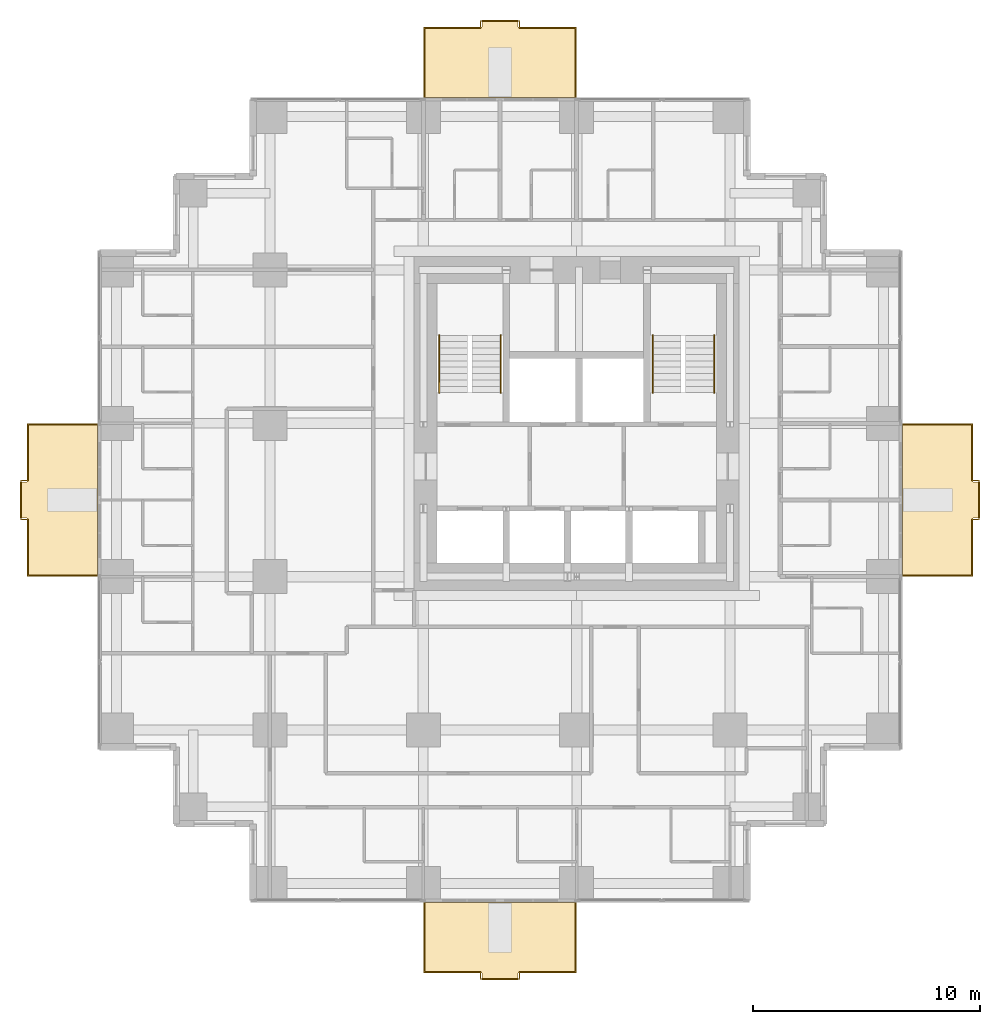
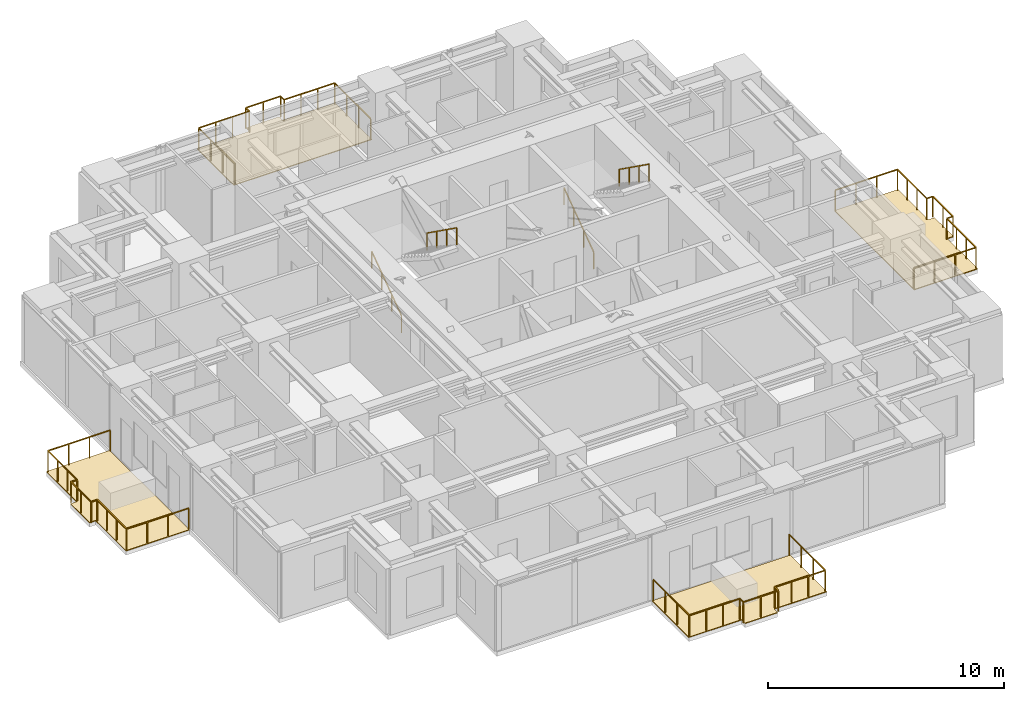
# One storey, part 10 of 10: 8 railings, 4 coverings.
"""IFC4 building model written with IfcOpenShell, lengths in metres."""

import ifcopenshell
import ifcopenshell.guid

model = None  # the IFC model being written
_history = None  # IfcOwnerHistory: only IFC2X3 demands one
_inside = {}  # id of a spatial element -> (the spatial element, [elements in it])
_under = {}  # id of a project, library or spatial element -> (it, [spatial elements below it])
_declared = {}  # id of a project -> (the project, [libraries it declares])
_typed = {}  # id of a type object -> (the type object, [elements of that type])
_made_of = {}  # id of a material, layer set ... -> (it, [elements and type objects made of it])


def new_model(schema):
    """Start an empty IFC model of exactly this schema.

    Asked for "IFC4X3", IfcOpenShell would pick the latest addendum, in which some entities
    have other attributes; the version numbers below select the first issue.
    IFC2X3 requires an IfcOwnerHistory on every rooted entity: one is made here for all.
    """
    global model, _history
    if schema == "IFC4X3":
        model = ifcopenshell.file(schema_version=(4, 3, 0, 0))
    else:
        model = ifcopenshell.file(schema=schema)
    _inside.clear()
    _under.clear()
    _declared.clear()
    _typed.clear()
    _made_of.clear()
    _history = None
    if model.schema == "IFC2X3":
        org = make("IfcOrganization", Name="unknown")
        user = make(
            "IfcPersonAndOrganization",
            ThePerson=make("IfcPerson", FamilyName="unknown"),
            TheOrganization=org,
        )
        app = make(
            "IfcApplication",
            ApplicationDeveloper=org,
            Version="unknown",
            ApplicationFullName="unknown",
            ApplicationIdentifier="unknown",
        )
        _history = make(
            "IfcOwnerHistory",
            OwningUser=user,
            OwningApplication=app,
            ChangeAction="ADDED",
            CreationDate=0,
        )
    return model


def make(cls, **values):
    """One entity of the class cls with the attributes given. An attribute that is None is left unset."""
    return model.create_entity(
        cls, **{name: value for name, value in values.items() if value is not None}
    )


def rooted(cls, **values):
    """An entity with a GlobalId (a new one), such as an element, a storey or a relation."""
    return make(cls, GlobalId=ifcopenshell.guid.new(), OwnerHistory=_history, **values)


def si_unit(unit_type, name, prefix=None):
    """IfcSIUnit, for example si_unit("LENGTHUNIT", "METRE", prefix="MILLI")."""
    return make("IfcSIUnit", UnitType=unit_type, Prefix=prefix, Name=name)


def assignment(units):
    """IfcUnitAssignment: the units of a project."""
    return None if units is None else make("IfcUnitAssignment", Units=units)


def point(xyz):
    """IfcCartesianPoint."""
    return None if xyz is None else make("IfcCartesianPoint", Coordinates=xyz)


def direction(xyz):
    """IfcDirection."""
    return None if xyz is None else make("IfcDirection", DirectionRatios=xyz)


def frame(location, z_axis=None, x_axis=None):
    """IfcAxis2Placement3D, a coordinate frame: its origin and axes. An axis left out is left unset."""
    return make(
        "IfcAxis2Placement3D",
        Location=point(location),
        Axis=direction(z_axis),
        RefDirection=direction(x_axis),
    )


def frame_2d(location, x_axis=None):
    """IfcAxis2Placement2D, a coordinate frame in the plane: its origin and x axis."""
    return make(
        "IfcAxis2Placement2D", Location=point(location), RefDirection=direction(x_axis)
    )


def origin():
    """The frame at (0, 0, 0) with its axes left unset."""
    return frame((0.0, 0.0, 0.0))


def origin_2d():
    """The frame at (0, 0) in the plane with its x axis left unset."""
    return frame_2d((0.0, 0.0))


def place(relative_to, where):
    """IfcLocalPlacement: puts the frame where relative to a parent placement (None: the world)."""
    return make(
        "IfcLocalPlacement", PlacementRelTo=relative_to, RelativePlacement=where
    )


def context(
    kind, dimensions, precision=None, world=None, true_north=None, identifier=None
):
    """IfcGeometricRepresentationContext, for example the 3D "Model" context."""
    return make(
        "IfcGeometricRepresentationContext",
        ContextIdentifier=identifier,
        ContextType=kind,
        CoordinateSpaceDimension=dimensions,
        Precision=precision,
        WorldCoordinateSystem=world,
        TrueNorth=true_north,
    )


def subcontext(parent, identifier, kind, view, scale=None):
    """IfcGeometricRepresentationSubContext, for example "Body" below "Model"."""
    return make(
        "IfcGeometricRepresentationSubContext",
        ContextIdentifier=identifier,
        ContextType=kind,
        ParentContext=parent,
        TargetScale=scale,
        TargetView=view,
    )


def project(units=None, contexts=None):
    """IfcProject with its units and contexts."""
    return rooted(
        "IfcProject",
        Name="project",
        RepresentationContexts=contexts,
        UnitsInContext=assignment(units),
    )


def spatial(cls, under=None, at=None, **own):
    """A site, building, storey or space (cls), placed at a placement, below another one or the project."""
    s = rooted(cls, ObjectPlacement=at, **own)
    if under is not None:
        _under.setdefault(under.id(), (under, []))[1].append(s)
    return s


def polyline(points):
    """IfcPolyline through the points."""
    return make("IfcPolyline", Points=[point(p) for p in points])


def profile(cls, at=None, kind="AREA", **sizes):
    """A parametric profile (cls). Its sizes go by their IFC names, for example OverallWidth=200.0."""
    return make(cls, ProfileType=kind, Position=at, **sizes)


def rectangle(**sizes):
    """IfcRectangleProfileDef."""
    return profile("IfcRectangleProfileDef", **sizes)


def outline(outer, holes=None, kind="AREA"):
    """IfcArbitraryClosedProfileDef: a profile drawn as a closed curve; with holes, ...WithVoids."""
    if holes is None:
        return make("IfcArbitraryClosedProfileDef", ProfileType=kind, OuterCurve=outer)
    return make(
        "IfcArbitraryProfileDefWithVoids",
        ProfileType=kind,
        OuterCurve=outer,
        InnerCurves=holes,
    )


def extrude(swept, where, along, depth):
    """IfcExtrudedAreaSolid: the profile swept, set in the frame where, extruded along a direction by depth."""
    return make(
        "IfcExtrudedAreaSolid",
        SweptArea=swept,
        Position=where,
        ExtrudedDirection=direction(along),
        Depth=depth,
    )


def shape(context_of_items, identifier, shape_type, items):
    """IfcShapeRepresentation: the items that make up one representation, for example the "Body"."""
    return make(
        "IfcShapeRepresentation",
        ContextOfItems=context_of_items,
        RepresentationIdentifier=identifier,
        RepresentationType=shape_type,
        Items=items,
    )


def material(Name=None, Category=None):
    """IfcMaterial."""
    return make("IfcMaterial", Name=Name, Category=Category)


def layer(
    of_material, thickness, ventilated=None, Name=None, Category=None, Priority=None
):
    """IfcMaterialLayer: one layer of a wall or slab, of a material (None: an air gap)."""
    return make(
        "IfcMaterialLayer",
        Material=of_material,
        LayerThickness=thickness,
        IsVentilated=ventilated,
        Name=Name,
        Category=Category,
        Priority=Priority,
    )


def layer_set(layers, Name=None):
    """IfcMaterialLayerSet."""
    return make("IfcMaterialLayerSet", MaterialLayers=layers, LayerSetName=Name)


def made_of(thing, what):
    """Note that an element or type object is made of a material, layer set ...; save() writes the relation."""
    if what is not None:
        _made_of.setdefault(what.id(), (what, []))[1].append(thing)
    return thing


def type_object(cls, material=None, **own):
    """A type object (cls), such as IfcWallType, which elements share."""
    return made_of(rooted(cls, **own), material)


def element(
    cls,
    number,
    at=None,
    inside=None,
    cuts=None,
    type_object=None,
    material=None,
    context=None,
    identifier="Body",
    shape_type=None,
    held_by="IfcProductDefinitionShape",
    body=None,
    shapes=None,
    **own,
):
    """One element of the class cls, such as IfcWall. Its Tag is "e" and its number.

    at: its placement. inside: the storey or other place that contains it. cuts: it is an
    opening in that element (IfcRelVoidsElement). A single representation is given by context,
    identifier, shape_type and body (its items); several are given by shapes. held_by: the class
    of the entity that holds the representations. save() writes the other relations.
    """
    e = rooted(cls, Tag="e%d" % number, ObjectPlacement=at, **own)
    if body is not None:
        shapes = [shape(context, identifier, shape_type, body)]
    if shapes is not None:
        e.Representation = make(held_by, Representations=shapes)
    if inside is not None:
        _inside.setdefault(inside.id(), (inside, []))[1].append(e)
    if cuts is not None:
        rooted(
            "IfcRelVoidsElement", RelatingBuildingElement=cuts, RelatedOpeningElement=e
        )
    if type_object is not None:
        _typed.setdefault(type_object.id(), (type_object, []))[1].append(e)
    return made_of(e, material)


def aggregate(whole, parts):
    """IfcRelAggregates: a whole, such as a stair, and the parts it consists of."""
    return rooted("IfcRelAggregates", RelatingObject=whole, RelatedObjects=parts)


def save(model, path):
    """Write the relations noted so far, then the file.

    IfcRelAggregates (storeys below a building ...), IfcRelContainedInSpatialStructure (elements
    in a storey), IfcRelDefinesByType, IfcRelAssociatesMaterial and IfcRelDeclares: one each for
    every whole, place, type object, material and project.
    """
    for whole, parts in _under.values():
        aggregate(whole, parts)
    for where, things in _inside.values():
        rooted(
            "IfcRelContainedInSpatialStructure",
            RelatedElements=things,
            RelatingStructure=where,
        )
    for kind, things in _typed.values():
        rooted("IfcRelDefinesByType", RelatedObjects=things, RelatingType=kind)
    for what, things in _made_of.values():
        rooted("IfcRelAssociatesMaterial", RelatedObjects=things, RelatingMaterial=what)
    for by, libraries in _declared.values():
        rooted("IfcRelDeclares", RelatingContext=by, RelatedDefinitions=libraries)
    model.write(path)


model = new_model("IFC4")

# Units and contexts
model_context = context("Model", 3, precision=1e-05, world=origin(), true_north=direction((0.0, 1.0)))
body_context = subcontext(model_context, "Body", "Model", "MODEL_VIEW")
ifc_project = project(units=[si_unit("LENGTHUNIT", "METRE"), si_unit("AREAUNIT", "SQUARE_METRE"), si_unit("VOLUMEUNIT", "CUBIC_METRE"), si_unit("PLANEANGLEUNIT", "RADIAN"), si_unit("MASSUNIT", "GRAM", prefix="KILO")], contexts=[model_context])

# Site, building, storey
site_placement = place(None, origin())
site = spatial("IfcSite", under=ifc_project, at=site_placement, CompositionType="ELEMENT")
building_placement = place(site_placement, origin())
building = spatial("IfcBuilding", under=site, at=building_placement, Name="Nyansa Garden Tower", CompositionType="ELEMENT")
storey_placement = place(building_placement, frame((0.0, 0.0, 156.60009765625)))
storey = spatial("IfcBuildingStorey", under=building, at=storey_placement, Name="L42", CompositionType="ELEMENT", Elevation=156.60009765625)

# Coverings
ifc_material_1 = material(Name="Hardwood decking on pedestals", Category="wood")
ifc_layer = layer(ifc_material_1, 0.0400390625)
ifc_layer_set = layer_set([ifc_layer], Name="Balcony decking DK40")
covering_type = type_object("IfcCoveringType", Name="Balcony decking DK40", PredefinedType="FLOORING", material=ifc_layer_set)
covering_1_placement = place(storey_placement, frame((0.0, 0.0, -0.0400390625)))
element("IfcCovering", 1, at=covering_1_placement, inside=storey, type_object=covering_type, Name="Balcony decking L42", PredefinedType="FLOORING", context=body_context, shape_type="SweptSolid", body=[
    extrude(outline(polyline([(13.5, -0.85009765625), (20.25, -0.85009765625), (20.25, -3.949951171875), (17.675048828125, -3.949951171875), (17.675048828125, -4.25), (16.074951171875, -4.25), (16.074951171875, -3.949951171875), (13.5, -3.949951171875), (13.5, -0.85009765625)])), origin(), (0.0, 0.0, 1.0), 0.0400390625),
])
covering_2_placement = place(storey_placement, frame((0.0, 0.0, -0.0400390625)))
element("IfcCovering", 2, at=covering_2_placement, inside=storey, type_object=covering_type, Name="Balcony decking L42", PredefinedType="FLOORING", context=body_context, shape_type="SweptSolid", body=[
    extrude(outline(polyline([(34.60009765625, 13.5), (34.60009765625, 20.25), (37.699951171875, 20.25), (37.699951171875, 17.675048828125), (38.0, 17.675048828125), (38.0, 16.074951171875), (37.699951171875, 16.074951171875), (37.699951171875, 13.5), (34.60009765625, 13.5)])), origin(), (0.0, 0.0, 1.0), 0.0400390625),
])
covering_3_placement = place(storey_placement, frame((0.0, 0.0, -0.0400390625)))
element("IfcCovering", 3, at=covering_3_placement, inside=storey, type_object=covering_type, Name="Balcony decking L42", PredefinedType="FLOORING", context=body_context, shape_type="SweptSolid", body=[
    extrude(outline(polyline([(13.5, 34.60009765625), (20.25, 34.60009765625), (20.25, 37.699951171875), (17.675048828125, 37.699951171875), (17.675048828125, 38.0), (16.074951171875, 38.0), (16.074951171875, 37.699951171875), (13.5, 37.699951171875), (13.5, 34.60009765625)])), origin(), (0.0, 0.0, 1.0), 0.0400390625),
])
covering_4_placement = place(storey_placement, frame((0.0, 0.0, -0.0400390625)))
element("IfcCovering", 4, at=covering_4_placement, inside=storey, type_object=covering_type, Name="Balcony decking L42", PredefinedType="FLOORING", context=body_context, shape_type="SweptSolid", body=[
    extrude(outline(polyline([(-0.85009765625, 13.5), (-0.85009765625, 20.25), (-3.949951171875, 20.25), (-3.949951171875, 17.675048828125), (-4.25, 17.675048828125), (-4.25, 16.074951171875), (-3.949951171875, 16.074951171875), (-3.949951171875, 13.5), (-0.85009765625, 13.5)])), origin(), (0.0, 0.0, 1.0), 0.0400390625),
])

# Railings
ifc_material_2 = material(Name="Black powder-coated steel balusters, laminated glass infill", Category="steel")
railing_type_1 = type_object("IfcRailingType", Name="Balcony guard G1", PredefinedType="GUARDRAIL", material=ifc_material_2)
railing_1_placement = place(storey_placement, frame((13.550048828125, -0.85009765625, 0.0)))
element("IfcRailing", 5, at=railing_1_placement, inside=storey, type_object=railing_type_1, Name="Balcony guard L42", PredefinedType="GUARDRAIL", context=body_context, shape_type="SweptSolid", body=[
    extrude(rectangle(XDim=0.048095703125, YDim=0.048095703125, at=origin_2d()), frame((0.0, 0.0, 1.076171875), z_axis=(0.0, -1.0, 0.0), x_axis=(1.0, 0.0, 0.0)), (0.0, 0.0, 1.0), 3.0498046875),
    extrude(rectangle(XDim=0.048095703125, YDim=0.048095703125, at=origin_2d()), frame((0.0, -3.0498046875, 1.076171875), z_axis=(1.0, 0.0, 0.0), x_axis=(0.0, 1.0, 0.0)), (0.0, 0.0, 1.0), 2.474853515625),
    extrude(rectangle(XDim=0.048095703125, YDim=0.048095703125, at=origin_2d()), frame((2.474853515625, -3.0498046875, 1.076171875), z_axis=(0.0, -1.0, 0.0), x_axis=(1.0, 0.0, 0.0)), (0.0, 0.0, 1.0), 0.300048828125),
    extrude(rectangle(XDim=0.048095703125, YDim=0.048095703125, at=origin_2d()), frame((2.474853515625, -3.349853515625, 1.076171875), z_axis=(1.0, 0.0, 0.0), x_axis=(0.0, 1.0, 0.0)), (0.0, 0.0, 1.0), 1.7001953125),
    extrude(rectangle(XDim=0.048095703125, YDim=0.048095703125, at=origin_2d()), frame((4.175048828125, -3.349853515625, 1.076171875), z_axis=(0.0, 1.0, 0.0), x_axis=(-1.0, 0.0, 0.0)), (0.0, 0.0, 1.0), 0.300048828125),
    extrude(rectangle(XDim=0.048095703125, YDim=0.048095703125, at=origin_2d()), frame((4.175048828125, -3.0498046875, 1.076171875), z_axis=(1.0, 0.0, 0.0), x_axis=(0.0, 1.0, 0.0)), (0.0, 0.0, 1.0), 2.474853515625),
    extrude(rectangle(XDim=0.048095703125, YDim=0.048095703125, at=origin_2d()), frame((6.64990234375, -3.0498046875, 1.076171875), z_axis=(0.0, 1.0, 0.0), x_axis=(-1.0, 0.0, 0.0)), (0.0, 0.0, 1.0), 3.0498046875),
    extrude(rectangle(XDim=0.0419921875, YDim=0.0419921875, at=origin_2d()), origin(), (0.0, 0.0, 1.0), 1.052001953125),
    extrude(rectangle(XDim=0.0419921875, YDim=0.0419921875, at=origin_2d()), frame((0.0, -1.0166015625, 0.0)), (0.0, 0.0, 1.0), 1.052001953125),
    extrude(rectangle(XDim=0.0419921875, YDim=0.0419921875, at=origin_2d()), frame((0.0, -2.033203125, 0.0)), (0.0, 0.0, 1.0), 1.052001953125),
    extrude(rectangle(XDim=0.0419921875, YDim=0.0419921875, at=origin_2d()), frame((0.0, -3.0498046875, 0.0)), (0.0, 0.0, 1.0), 1.052001953125),
    extrude(rectangle(XDim=0.0419921875, YDim=0.0419921875, at=origin_2d()), frame((0.824951171875, -3.0498046875, 0.0)), (0.0, 0.0, 1.0), 1.052001953125),
    extrude(rectangle(XDim=0.0419921875, YDim=0.0419921875, at=origin_2d()), frame((1.64990234375, -3.0498046875, 0.0)), (0.0, 0.0, 1.0), 1.052001953125),
    extrude(rectangle(XDim=0.0419921875, YDim=0.0419921875, at=origin_2d()), frame((2.474853515625, -3.0498046875, 0.0)), (0.0, 0.0, 1.0), 1.052001953125),
    extrude(rectangle(XDim=0.0419921875, YDim=0.0419921875, at=origin_2d()), frame((2.474853515625, -3.349853515625, 0.0)), (0.0, 0.0, 1.0), 1.052001953125),
    extrude(rectangle(XDim=0.0419921875, YDim=0.0419921875, at=origin_2d()), frame((3.324951171875, -3.349853515625, 0.0)), (0.0, 0.0, 1.0), 1.052001953125),
    extrude(rectangle(XDim=0.0419921875, YDim=0.0419921875, at=origin_2d()), frame((4.175048828125, -3.349853515625, 0.0)), (0.0, 0.0, 1.0), 1.052001953125),
    extrude(rectangle(XDim=0.0419921875, YDim=0.0419921875, at=origin_2d()), frame((4.175048828125, -3.0498046875, 0.0)), (0.0, 0.0, 1.0), 1.052001953125),
    extrude(rectangle(XDim=0.0419921875, YDim=0.0419921875, at=origin_2d()), frame((5.0, -3.0498046875, 0.0)), (0.0, 0.0, 1.0), 1.052001953125),
    extrude(rectangle(XDim=0.0419921875, YDim=0.0419921875, at=origin_2d()), frame((5.824951171875, -3.0498046875, 0.0)), (0.0, 0.0, 1.0), 1.052001953125),
    extrude(rectangle(XDim=0.0419921875, YDim=0.0419921875, at=origin_2d()), frame((6.64990234375, -3.0498046875, 0.0)), (0.0, 0.0, 1.0), 1.052001953125),
    extrude(rectangle(XDim=0.0419921875, YDim=0.0419921875, at=origin_2d()), frame((6.64990234375, -2.033203125, 0.0)), (0.0, 0.0, 1.0), 1.052001953125),
    extrude(rectangle(XDim=0.0419921875, YDim=0.0419921875, at=origin_2d()), frame((6.64990234375, -1.0166015625, 0.0)), (0.0, 0.0, 1.0), 1.052001953125),
    extrude(rectangle(XDim=0.0419921875, YDim=0.0419921875, at=origin_2d()), frame((6.64990234375, 0.0, 0.0)), (0.0, 0.0, 1.0), 1.052001953125),
])
railing_2_placement = place(storey_placement, frame((34.60009765625, 13.550048828125, 0.0)))
element("IfcRailing", 6, at=railing_2_placement, inside=storey, type_object=railing_type_1, Name="Balcony guard L42", PredefinedType="GUARDRAIL", context=body_context, shape_type="SweptSolid", body=[
    extrude(rectangle(XDim=0.048095703125, YDim=0.048095703125, at=origin_2d()), frame((0.0, 0.0, 1.076171875), z_axis=(1.0, 0.0, 0.0), x_axis=(0.0, 1.0, 0.0)), (0.0, 0.0, 1.0), 3.0498046875),
    extrude(rectangle(XDim=0.048095703125, YDim=0.048095703125, at=origin_2d()), frame((3.0498046875, 0.0, 1.076171875), z_axis=(0.0, 1.0, 0.0), x_axis=(-1.0, 0.0, 0.0)), (0.0, 0.0, 1.0), 2.474853515625),
    extrude(rectangle(XDim=0.048095703125, YDim=0.048095703125, at=origin_2d()), frame((3.0498046875, 2.474853515625, 1.076171875), z_axis=(1.0, 0.0, 0.0), x_axis=(0.0, 1.0, 0.0)), (0.0, 0.0, 1.0), 0.300048828125),
    extrude(rectangle(XDim=0.048095703125, YDim=0.048095703125, at=origin_2d()), frame((3.349853515625, 2.474853515625, 1.076171875), z_axis=(0.0, 1.0, 0.0), x_axis=(-1.0, 0.0, 0.0)), (0.0, 0.0, 1.0), 1.7001953125),
    extrude(rectangle(XDim=0.048095703125, YDim=0.048095703125, at=origin_2d()), frame((3.349853515625, 4.175048828125, 1.076171875), z_axis=(-1.0, 0.0, 0.0), x_axis=(0.0, -1.0, 0.0)), (0.0, 0.0, 1.0), 0.300048828125),
    extrude(rectangle(XDim=0.048095703125, YDim=0.048095703125, at=origin_2d()), frame((3.0498046875, 4.175048828125, 1.076171875), z_axis=(0.0, 1.0, 0.0), x_axis=(-1.0, 0.0, 0.0)), (0.0, 0.0, 1.0), 2.474853515625),
    extrude(rectangle(XDim=0.048095703125, YDim=0.048095703125, at=origin_2d()), frame((3.0498046875, 6.64990234375, 1.076171875), z_axis=(-1.0, 0.0, 0.0), x_axis=(0.0, -1.0, 0.0)), (0.0, 0.0, 1.0), 3.0498046875),
    extrude(rectangle(XDim=0.0419921875, YDim=0.0419921875, at=origin_2d()), origin(), (0.0, 0.0, 1.0), 1.052001953125),
    extrude(rectangle(XDim=0.0419921875, YDim=0.0419921875, at=origin_2d()), frame((1.0166015625, 0.0, 0.0)), (0.0, 0.0, 1.0), 1.052001953125),
    extrude(rectangle(XDim=0.0419921875, YDim=0.0419921875, at=origin_2d()), frame((2.033203125, 0.0, 0.0)), (0.0, 0.0, 1.0), 1.052001953125),
    extrude(rectangle(XDim=0.0419921875, YDim=0.0419921875, at=origin_2d()), frame((3.0498046875, 0.0, 0.0)), (0.0, 0.0, 1.0), 1.052001953125),
    extrude(rectangle(XDim=0.0419921875, YDim=0.0419921875, at=origin_2d()), frame((3.0498046875, 0.824951171875, 0.0)), (0.0, 0.0, 1.0), 1.052001953125),
    extrude(rectangle(XDim=0.0419921875, YDim=0.0419921875, at=origin_2d()), frame((3.0498046875, 1.64990234375, 0.0)), (0.0, 0.0, 1.0), 1.052001953125),
    extrude(rectangle(XDim=0.0419921875, YDim=0.0419921875, at=origin_2d()), frame((3.0498046875, 2.474853515625, 0.0)), (0.0, 0.0, 1.0), 1.052001953125),
    extrude(rectangle(XDim=0.0419921875, YDim=0.0419921875, at=origin_2d()), frame((3.349853515625, 2.474853515625, 0.0)), (0.0, 0.0, 1.0), 1.052001953125),
    extrude(rectangle(XDim=0.0419921875, YDim=0.0419921875, at=origin_2d()), frame((3.349853515625, 3.324951171875, 0.0)), (0.0, 0.0, 1.0), 1.052001953125),
    extrude(rectangle(XDim=0.0419921875, YDim=0.0419921875, at=origin_2d()), frame((3.349853515625, 4.175048828125, 0.0)), (0.0, 0.0, 1.0), 1.052001953125),
    extrude(rectangle(XDim=0.0419921875, YDim=0.0419921875, at=origin_2d()), frame((3.0498046875, 4.175048828125, 0.0)), (0.0, 0.0, 1.0), 1.052001953125),
    extrude(rectangle(XDim=0.0419921875, YDim=0.0419921875, at=origin_2d()), frame((3.0498046875, 5.0, 0.0)), (0.0, 0.0, 1.0), 1.052001953125),
    extrude(rectangle(XDim=0.0419921875, YDim=0.0419921875, at=origin_2d()), frame((3.0498046875, 5.824951171875, 0.0)), (0.0, 0.0, 1.0), 1.052001953125),
    extrude(rectangle(XDim=0.0419921875, YDim=0.0419921875, at=origin_2d()), frame((3.0498046875, 6.64990234375, 0.0)), (0.0, 0.0, 1.0), 1.052001953125),
    extrude(rectangle(XDim=0.0419921875, YDim=0.0419921875, at=origin_2d()), frame((2.033203125, 6.64990234375, 0.0)), (0.0, 0.0, 1.0), 1.052001953125),
    extrude(rectangle(XDim=0.0419921875, YDim=0.0419921875, at=origin_2d()), frame((1.0166015625, 6.64990234375, 0.0)), (0.0, 0.0, 1.0), 1.052001953125),
    extrude(rectangle(XDim=0.0419921875, YDim=0.0419921875, at=origin_2d()), frame((0.0, 6.64990234375, 0.0)), (0.0, 0.0, 1.0), 1.052001953125),
])
railing_3_placement = place(storey_placement, frame((13.550048828125, 34.60009765625, 0.0)))
element("IfcRailing", 7, at=railing_3_placement, inside=storey, type_object=railing_type_1, Name="Balcony guard L42", PredefinedType="GUARDRAIL", context=body_context, shape_type="SweptSolid", body=[
    extrude(rectangle(XDim=0.048095703125, YDim=0.048095703125, at=origin_2d()), frame((0.0, 0.0, 1.076171875), z_axis=(0.0, 1.0, 0.0), x_axis=(-1.0, 0.0, 0.0)), (0.0, 0.0, 1.0), 3.0498046875),
    extrude(rectangle(XDim=0.048095703125, YDim=0.048095703125, at=origin_2d()), frame((0.0, 3.0498046875, 1.076171875), z_axis=(1.0, 0.0, 0.0), x_axis=(0.0, 1.0, 0.0)), (0.0, 0.0, 1.0), 2.474853515625),
    extrude(rectangle(XDim=0.048095703125, YDim=0.048095703125, at=origin_2d()), frame((2.474853515625, 3.0498046875, 1.076171875), z_axis=(0.0, 1.0, 0.0), x_axis=(-1.0, 0.0, 0.0)), (0.0, 0.0, 1.0), 0.300048828125),
    extrude(rectangle(XDim=0.048095703125, YDim=0.048095703125, at=origin_2d()), frame((2.474853515625, 3.349853515625, 1.076171875), z_axis=(1.0, 0.0, 0.0), x_axis=(0.0, 1.0, 0.0)), (0.0, 0.0, 1.0), 1.7001953125),
    extrude(rectangle(XDim=0.048095703125, YDim=0.048095703125, at=origin_2d()), frame((4.175048828125, 3.349853515625, 1.076171875), z_axis=(0.0, -1.0, 0.0), x_axis=(1.0, 0.0, 0.0)), (0.0, 0.0, 1.0), 0.300048828125),
    extrude(rectangle(XDim=0.048095703125, YDim=0.048095703125, at=origin_2d()), frame((4.175048828125, 3.0498046875, 1.076171875), z_axis=(1.0, 0.0, 0.0), x_axis=(0.0, 1.0, 0.0)), (0.0, 0.0, 1.0), 2.474853515625),
    extrude(rectangle(XDim=0.048095703125, YDim=0.048095703125, at=origin_2d()), frame((6.64990234375, 3.0498046875, 1.076171875), z_axis=(0.0, -1.0, 0.0), x_axis=(1.0, 0.0, 0.0)), (0.0, 0.0, 1.0), 3.0498046875),
    extrude(rectangle(XDim=0.0419921875, YDim=0.0419921875, at=origin_2d()), origin(), (0.0, 0.0, 1.0), 1.052001953125),
    extrude(rectangle(XDim=0.0419921875, YDim=0.0419921875, at=origin_2d()), frame((0.0, 1.0166015625, 0.0)), (0.0, 0.0, 1.0), 1.052001953125),
    extrude(rectangle(XDim=0.0419921875, YDim=0.0419921875, at=origin_2d()), frame((0.0, 2.033203125, 0.0)), (0.0, 0.0, 1.0), 1.052001953125),
    extrude(rectangle(XDim=0.0419921875, YDim=0.0419921875, at=origin_2d()), frame((0.0, 3.0498046875, 0.0)), (0.0, 0.0, 1.0), 1.052001953125),
    extrude(rectangle(XDim=0.0419921875, YDim=0.0419921875, at=origin_2d()), frame((0.824951171875, 3.0498046875, 0.0)), (0.0, 0.0, 1.0), 1.052001953125),
    extrude(rectangle(XDim=0.0419921875, YDim=0.0419921875, at=origin_2d()), frame((1.64990234375, 3.0498046875, 0.0)), (0.0, 0.0, 1.0), 1.052001953125),
    extrude(rectangle(XDim=0.0419921875, YDim=0.0419921875, at=origin_2d()), frame((2.474853515625, 3.0498046875, 0.0)), (0.0, 0.0, 1.0), 1.052001953125),
    extrude(rectangle(XDim=0.0419921875, YDim=0.0419921875, at=origin_2d()), frame((2.474853515625, 3.349853515625, 0.0)), (0.0, 0.0, 1.0), 1.052001953125),
    extrude(rectangle(XDim=0.0419921875, YDim=0.0419921875, at=origin_2d()), frame((3.324951171875, 3.349853515625, 0.0)), (0.0, 0.0, 1.0), 1.052001953125),
    extrude(rectangle(XDim=0.0419921875, YDim=0.0419921875, at=origin_2d()), frame((4.175048828125, 3.349853515625, 0.0)), (0.0, 0.0, 1.0), 1.052001953125),
    extrude(rectangle(XDim=0.0419921875, YDim=0.0419921875, at=origin_2d()), frame((4.175048828125, 3.0498046875, 0.0)), (0.0, 0.0, 1.0), 1.052001953125),
    extrude(rectangle(XDim=0.0419921875, YDim=0.0419921875, at=origin_2d()), frame((5.0, 3.0498046875, 0.0)), (0.0, 0.0, 1.0), 1.052001953125),
    extrude(rectangle(XDim=0.0419921875, YDim=0.0419921875, at=origin_2d()), frame((5.824951171875, 3.0498046875, 0.0)), (0.0, 0.0, 1.0), 1.052001953125),
    extrude(rectangle(XDim=0.0419921875, YDim=0.0419921875, at=origin_2d()), frame((6.64990234375, 3.0498046875, 0.0)), (0.0, 0.0, 1.0), 1.052001953125),
    extrude(rectangle(XDim=0.0419921875, YDim=0.0419921875, at=origin_2d()), frame((6.64990234375, 2.033203125, 0.0)), (0.0, 0.0, 1.0), 1.052001953125),
    extrude(rectangle(XDim=0.0419921875, YDim=0.0419921875, at=origin_2d()), frame((6.64990234375, 1.0166015625, 0.0)), (0.0, 0.0, 1.0), 1.052001953125),
    extrude(rectangle(XDim=0.0419921875, YDim=0.0419921875, at=origin_2d()), frame((6.64990234375, 0.0, 0.0)), (0.0, 0.0, 1.0), 1.052001953125),
])
railing_4_placement = place(storey_placement, frame((-0.85009765625, 13.550048828125, 0.0)))
element("IfcRailing", 8, at=railing_4_placement, inside=storey, type_object=railing_type_1, Name="Balcony guard L42", PredefinedType="GUARDRAIL", context=body_context, shape_type="SweptSolid", body=[
    extrude(rectangle(XDim=0.048095703125, YDim=0.048095703125, at=origin_2d()), frame((0.0, 0.0, 1.076171875), z_axis=(-1.0, 0.0, 0.0), x_axis=(0.0, -1.0, 0.0)), (0.0, 0.0, 1.0), 3.0498046875),
    extrude(rectangle(XDim=0.048095703125, YDim=0.048095703125, at=origin_2d()), frame((-3.0498046875, 0.0, 1.076171875), z_axis=(0.0, 1.0, 0.0), x_axis=(-1.0, 0.0, 0.0)), (0.0, 0.0, 1.0), 2.474853515625),
    extrude(rectangle(XDim=0.048095703125, YDim=0.048095703125, at=origin_2d()), frame((-3.0498046875, 2.474853515625, 1.076171875), z_axis=(-1.0, 0.0, 0.0), x_axis=(0.0, -1.0, 0.0)), (0.0, 0.0, 1.0), 0.300048828125),
    extrude(rectangle(XDim=0.048095703125, YDim=0.048095703125, at=origin_2d()), frame((-3.349853515625, 2.474853515625, 1.076171875), z_axis=(0.0, 1.0, 0.0), x_axis=(-1.0, 0.0, 0.0)), (0.0, 0.0, 1.0), 1.7001953125),
    extrude(rectangle(XDim=0.048095703125, YDim=0.048095703125, at=origin_2d()), frame((-3.349853515625, 4.175048828125, 1.076171875), z_axis=(1.0, 0.0, 0.0), x_axis=(0.0, 1.0, 0.0)), (0.0, 0.0, 1.0), 0.300048828125),
    extrude(rectangle(XDim=0.048095703125, YDim=0.048095703125, at=origin_2d()), frame((-3.0498046875, 4.175048828125, 1.076171875), z_axis=(0.0, 1.0, 0.0), x_axis=(-1.0, 0.0, 0.0)), (0.0, 0.0, 1.0), 2.474853515625),
    extrude(rectangle(XDim=0.048095703125, YDim=0.048095703125, at=origin_2d()), frame((-3.0498046875, 6.64990234375, 1.076171875), z_axis=(1.0, 0.0, 0.0), x_axis=(0.0, 1.0, 0.0)), (0.0, 0.0, 1.0), 3.0498046875),
    extrude(rectangle(XDim=0.0419921875, YDim=0.0419921875, at=origin_2d()), origin(), (0.0, 0.0, 1.0), 1.052001953125),
    extrude(rectangle(XDim=0.0419921875, YDim=0.0419921875, at=origin_2d()), frame((-1.0166015625, 0.0, 0.0)), (0.0, 0.0, 1.0), 1.052001953125),
    extrude(rectangle(XDim=0.0419921875, YDim=0.0419921875, at=origin_2d()), frame((-2.033203125, 0.0, 0.0)), (0.0, 0.0, 1.0), 1.052001953125),
    extrude(rectangle(XDim=0.0419921875, YDim=0.0419921875, at=origin_2d()), frame((-3.0498046875, 0.0, 0.0)), (0.0, 0.0, 1.0), 1.052001953125),
    extrude(rectangle(XDim=0.0419921875, YDim=0.0419921875, at=origin_2d()), frame((-3.0498046875, 0.824951171875, 0.0)), (0.0, 0.0, 1.0), 1.052001953125),
    extrude(rectangle(XDim=0.0419921875, YDim=0.0419921875, at=origin_2d()), frame((-3.0498046875, 1.64990234375, 0.0)), (0.0, 0.0, 1.0), 1.052001953125),
    extrude(rectangle(XDim=0.0419921875, YDim=0.0419921875, at=origin_2d()), frame((-3.0498046875, 2.474853515625, 0.0)), (0.0, 0.0, 1.0), 1.052001953125),
    extrude(rectangle(XDim=0.0419921875, YDim=0.0419921875, at=origin_2d()), frame((-3.349853515625, 2.474853515625, 0.0)), (0.0, 0.0, 1.0), 1.052001953125),
    extrude(rectangle(XDim=0.0419921875, YDim=0.0419921875, at=origin_2d()), frame((-3.349853515625, 3.324951171875, 0.0)), (0.0, 0.0, 1.0), 1.052001953125),
    extrude(rectangle(XDim=0.0419921875, YDim=0.0419921875, at=origin_2d()), frame((-3.349853515625, 4.175048828125, 0.0)), (0.0, 0.0, 1.0), 1.052001953125),
    extrude(rectangle(XDim=0.0419921875, YDim=0.0419921875, at=origin_2d()), frame((-3.0498046875, 4.175048828125, 0.0)), (0.0, 0.0, 1.0), 1.052001953125),
    extrude(rectangle(XDim=0.0419921875, YDim=0.0419921875, at=origin_2d()), frame((-3.0498046875, 5.0, 0.0)), (0.0, 0.0, 1.0), 1.052001953125),
    extrude(rectangle(XDim=0.0419921875, YDim=0.0419921875, at=origin_2d()), frame((-3.0498046875, 5.824951171875, 0.0)), (0.0, 0.0, 1.0), 1.052001953125),
    extrude(rectangle(XDim=0.0419921875, YDim=0.0419921875, at=origin_2d()), frame((-3.0498046875, 6.64990234375, 0.0)), (0.0, 0.0, 1.0), 1.052001953125),
    extrude(rectangle(XDim=0.0419921875, YDim=0.0419921875, at=origin_2d()), frame((-2.033203125, 6.64990234375, 0.0)), (0.0, 0.0, 1.0), 1.052001953125),
    extrude(rectangle(XDim=0.0419921875, YDim=0.0419921875, at=origin_2d()), frame((-1.0166015625, 6.64990234375, 0.0)), (0.0, 0.0, 1.0), 1.052001953125),
    extrude(rectangle(XDim=0.0419921875, YDim=0.0419921875, at=origin_2d()), frame((0.0, 6.64990234375, 0.0)), (0.0, 0.0, 1.0), 1.052001953125),
])
ifc_material_3 = material(Name="Black powder-coated steel tube 48 mm", Category="steel")
railing_type_2 = type_object("IfcRailingType", Name="Stair handrail HR1", PredefinedType="HANDRAIL", material=ifc_material_3)
railing_5_placement = place(storey_placement, frame((14.199951171875, 21.60009765625, 0.0)))
element("IfcRailing", 9, at=railing_5_placement, inside=storey, type_object=railing_type_2, Name="Stair S1 handrail L42", PredefinedType="HANDRAIL", context=body_context, shape_type="SweptSolid", body=[
    extrude(rectangle(XDim=0.048095703125, YDim=0.048095703125, at=origin_2d()), frame((0.0, 0.0, 0.8759765625), z_axis=(0.0, 0.813765431312, 0.581193446971), x_axis=(-1.0, 0.0, 0.0)), (0.0, 0.0, 1.0), 3.0966796875),
    extrude(rectangle(XDim=0.0419921875, YDim=0.0419921875, at=origin_2d()), origin(), (0.0, 0.0, 1.0), 0.851806640625),
    extrude(rectangle(XDim=0.0419921875, YDim=0.0419921875, at=origin_2d()), frame((0.0, 0.840087890625, 0.599853515625)), (0.0, 0.0, 1.0), 0.851806640625),
    extrude(rectangle(XDim=0.0419921875, YDim=0.0419921875, at=origin_2d()), frame((0.0, 1.679931640625, 1.199951171875)), (0.0, 0.0, 1.0), 0.851806640625),
    extrude(rectangle(XDim=0.0419921875, YDim=0.0419921875, at=origin_2d()), frame((0.0, 2.52001953125, 1.7998046875)), (0.0, 0.0, 1.0), 0.851806640625),
])
railing_6_placement = place(storey_placement, frame((16.89990234375, 24.1201171875, 1.7998046875)))
element("IfcRailing", 10, at=railing_6_placement, inside=storey, type_object=railing_type_2, Name="Stair S1 handrail L42", PredefinedType="HANDRAIL", context=body_context, shape_type="SweptSolid", body=[
    extrude(rectangle(XDim=0.048095703125, YDim=0.048095703125, at=origin_2d()), frame((0.0, 0.0, 0.8759765625), z_axis=(0.0, -0.813728144527, 0.581245650998), x_axis=(1.0, 0.0, 0.0)), (0.0, 0.0, 1.0), 3.096923828125),
    extrude(rectangle(XDim=0.0419921875, YDim=0.0419921875, at=origin_2d()), origin(), (0.0, 0.0, 1.0), 0.851806640625),
    extrude(rectangle(XDim=0.0419921875, YDim=0.0419921875, at=origin_2d()), frame((0.0, -0.840087890625, 0.60009765625)), (0.0, 0.0, 1.0), 0.851806640625),
    extrude(rectangle(XDim=0.0419921875, YDim=0.0419921875, at=origin_2d()), frame((0.0, -1.679931640625, 1.199951171875)), (0.0, 0.0, 1.0), 0.851806640625),
    extrude(rectangle(XDim=0.0419921875, YDim=0.0419921875, at=origin_2d()), frame((0.0, -2.52001953125, 1.800048828125)), (0.0, 0.0, 1.0), 0.851806640625),
])
railing_7_placement = place(storey_placement, frame((23.60009765625, 21.60009765625, 0.0)))
element("IfcRailing", 11, at=railing_7_placement, inside=storey, type_object=railing_type_2, Name="Stair S2 handrail L42", PredefinedType="HANDRAIL", context=body_context, shape_type="SweptSolid", body=[
    extrude(rectangle(XDim=0.048095703125, YDim=0.048095703125, at=origin_2d()), frame((0.0, 0.0, 0.8759765625), z_axis=(0.0, 0.813765431312, 0.581193446971), x_axis=(-1.0, 0.0, 0.0)), (0.0, 0.0, 1.0), 3.0966796875),
    extrude(rectangle(XDim=0.0419921875, YDim=0.0419921875, at=origin_2d()), origin(), (0.0, 0.0, 1.0), 0.851806640625),
    extrude(rectangle(XDim=0.0419921875, YDim=0.0419921875, at=origin_2d()), frame((0.0, 0.840087890625, 0.599853515625)), (0.0, 0.0, 1.0), 0.851806640625),
    extrude(rectangle(XDim=0.0419921875, YDim=0.0419921875, at=origin_2d()), frame((0.0, 1.679931640625, 1.199951171875)), (0.0, 0.0, 1.0), 0.851806640625),
    extrude(rectangle(XDim=0.0419921875, YDim=0.0419921875, at=origin_2d()), frame((0.0, 2.52001953125, 1.7998046875)), (0.0, 0.0, 1.0), 0.851806640625),
])
railing_8_placement = place(storey_placement, frame((26.300048828125, 24.1201171875, 1.7998046875)))
element("IfcRailing", 12, at=railing_8_placement, inside=storey, type_object=railing_type_2, Name="Stair S2 handrail L42", PredefinedType="HANDRAIL", context=body_context, shape_type="SweptSolid", body=[
    extrude(rectangle(XDim=0.048095703125, YDim=0.048095703125, at=origin_2d()), frame((0.0, 0.0, 0.8759765625), z_axis=(0.0, -0.813728144527, 0.581245650998), x_axis=(1.0, 0.0, 0.0)), (0.0, 0.0, 1.0), 3.096923828125),
    extrude(rectangle(XDim=0.0419921875, YDim=0.0419921875, at=origin_2d()), origin(), (0.0, 0.0, 1.0), 0.851806640625),
    extrude(rectangle(XDim=0.0419921875, YDim=0.0419921875, at=origin_2d()), frame((0.0, -0.840087890625, 0.60009765625)), (0.0, 0.0, 1.0), 0.851806640625),
    extrude(rectangle(XDim=0.0419921875, YDim=0.0419921875, at=origin_2d()), frame((0.0, -1.679931640625, 1.199951171875)), (0.0, 0.0, 1.0), 0.851806640625),
    extrude(rectangle(XDim=0.0419921875, YDim=0.0419921875, at=origin_2d()), frame((0.0, -2.52001953125, 1.800048828125)), (0.0, 0.0, 1.0), 0.851806640625),
])

save(model, "model.ifc")
